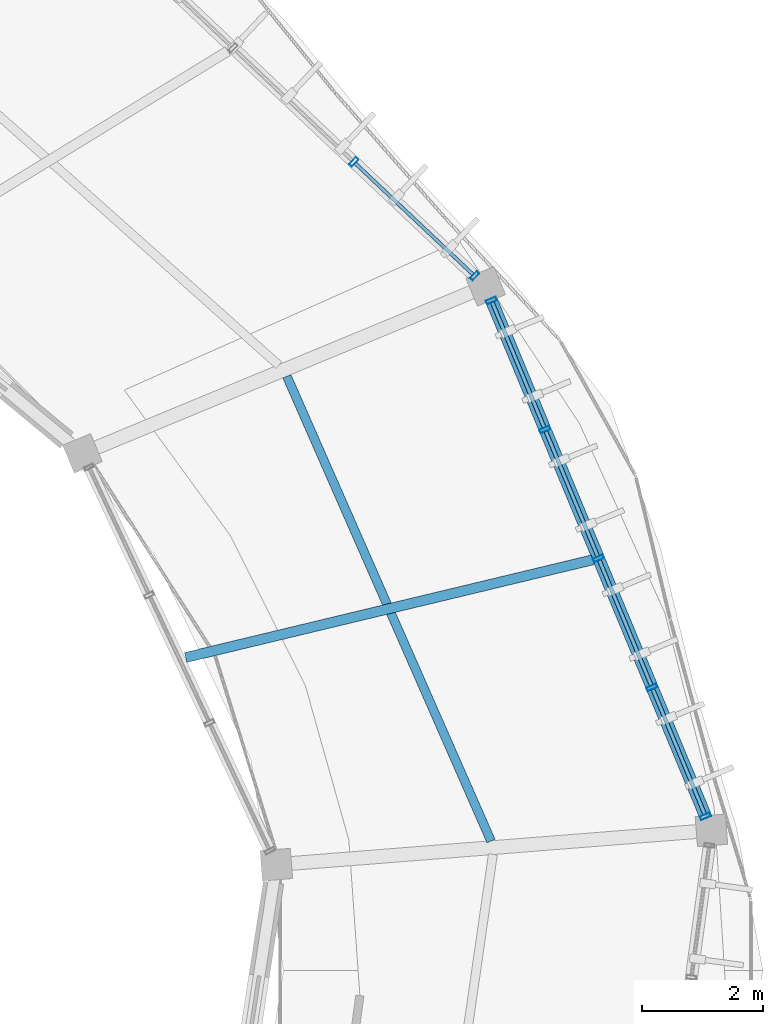
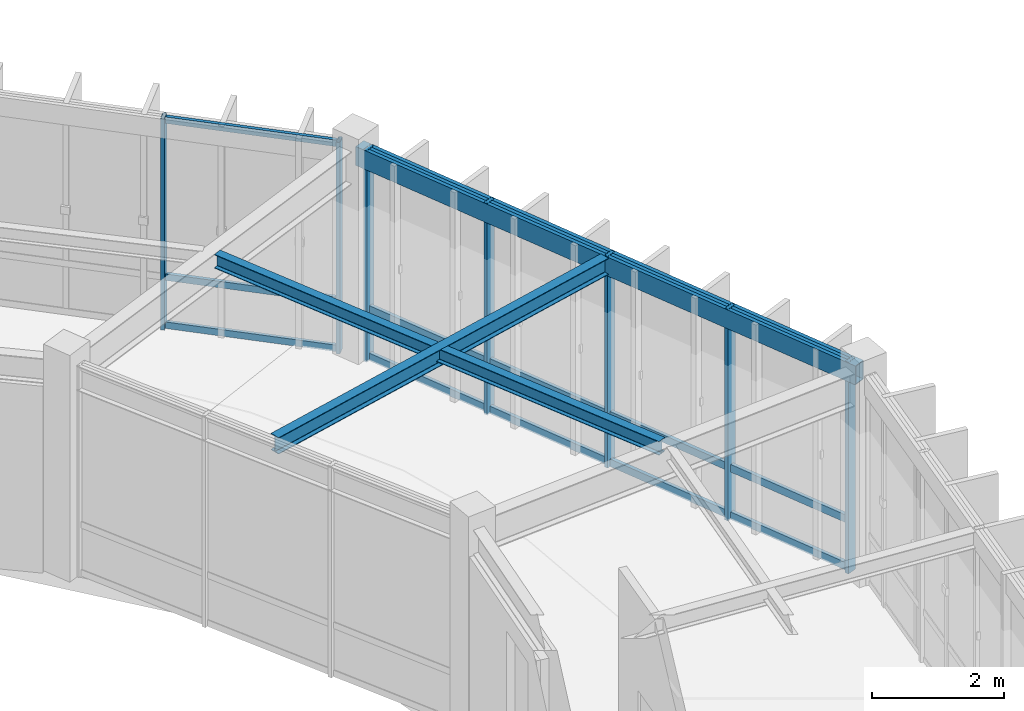
# One storey, part 63 of 78: 22 members, 3 beams, 2 elements without a shape of their own.
"""IFC4 building model written with IfcOpenShell, lengths in metres."""

from ifc_helpers import new_model, si_unit, direction, frame, origin, origin_2d, place, context, subcontext, project, spatial, hollow_rectangle, i_section, extrude, material, material_profile, profile_set, type_object, element, aggregate, save


model = new_model("IFC4")

# Units and contexts
model_context = context("Model", 3, precision=1e-05, world=origin(), true_north=direction((0.0, 1.0)))
body_context = subcontext(model_context, "Body", "Model", "MODEL_VIEW")
ifc_project = project(units=[si_unit("LENGTHUNIT", "METRE"), si_unit("AREAUNIT", "SQUARE_METRE"), si_unit("VOLUMEUNIT", "CUBIC_METRE"), si_unit("PLANEANGLEUNIT", "RADIAN"), si_unit("MASSUNIT", "GRAM", prefix="KILO"), si_unit("THERMODYNAMICTEMPERATUREUNIT", "KELVIN"), si_unit("POWERUNIT", "WATT")], contexts=[model_context])

# Site, building, storey
site_placement = place(None, origin())
site = spatial("IfcSite", under=ifc_project, at=site_placement, CompositionType="ELEMENT")
building_placement = place(site_placement, origin())
building = spatial("IfcBuilding", under=site, at=building_placement, Name="Darbajah Civic Hall", CompositionType="ELEMENT")
storey_placement = place(building_placement, frame((0.0, 0.0, 26.39990234375)))
storey = spatial("IfcBuildingStorey", under=building, at=storey_placement, Name="L06", CompositionType="ELEMENT", Elevation=26.39990234375)

# Curtain wall, members
ifc_material_1 = material(Name="Anodised Bronze Aluminium and Low-E Glazing", Category="aluminium")
curtain_wall_type_1 = type_object("IfcCurtainWallType", Name="Unitised Curtain Wall CW-86 11000x3900", PredefinedType="USERDEFINED", material=ifc_material_1)
curtain_wall_1_placement = place(storey_placement, origin())
curtain_wall_1 = element("IfcCurtainWall", 1, at=curtain_wall_1_placement, inside=storey, type_object=curtain_wall_type_1, Name="L06 unitised curtain wall CW-V1O-L06-01", ObjectType="UNITISED CURTAIN WALL", PredefinedType="USERDEFINED")
ifc_material_2 = material(Name="Anodised Bronze Aluminium", Category="aluminium")
ifc_material_profile_1 = material_profile(ifc_material_2, hollow_rectangle(XDim=0.06005859375, YDim=0.159912109375, WallThickness=0.00341796875, at=origin_2d()), Name="ALU MULLION 60x160")
ifc_profile_set_1 = profile_set([ifc_material_profile_1], Name="Anodised Bronze Aluminium")
member_type_1 = type_object("IfcMemberType", Name="ALU MULLION 60x160", PredefinedType="MULLION", material=ifc_profile_set_1)
member_1_placement = place(storey_placement, frame((136.03466796875, 101.26220703125, 0.0), z_axis=(0.0, 0.0, 1.0), x_axis=(-0.727173991201, 0.686453193248, 0.0)))
member_1 = element("IfcMember", 2, at=member_1_placement, type_object=member_type_1, Name="CW-V1O-L06-01 mullion 1", PredefinedType="MULLION", context=body_context, shape_type="SweptSolid", body=[
    extrude(hollow_rectangle(XDim=0.06005859375, YDim=0.159912109375, WallThickness=0.00341796875, at=origin_2d()), origin(), (0.0, 0.0, 1.0), 3.920166015625),
])
member_2_placement = place(storey_placement, frame((134.0419921875, 103.14306640625, 0.0), z_axis=(0.0, 0.0, 1.0), x_axis=(-0.727173991201, 0.686453193248, 0.0)))
member_2 = element("IfcMember", 3, at=member_2_placement, type_object=member_type_1, Name="CW-V1O-L06-01 mullion 2", PredefinedType="MULLION", context=body_context, shape_type="SweptSolid", body=[
    extrude(hollow_rectangle(XDim=0.06005859375, YDim=0.159912109375, WallThickness=0.00341796875, at=origin_2d()), origin(), (0.0, 0.0, 1.0), 3.920166015625),
])

curtain_wall_type_2 = type_object("IfcCurtainWallType", Name="Unitised Curtain Wall CW-77 9200x3900", PredefinedType="USERDEFINED", material=ifc_material_1)
curtain_wall_2_placement = place(storey_placement, origin())
curtain_wall_2 = element("IfcCurtainWall", 4, at=curtain_wall_2_placement, inside=storey, type_object=curtain_wall_type_2, Name="L06 unitised curtain wall CW-V1O-L06-00", ObjectType="UNITISED CURTAIN WALL", PredefinedType="USERDEFINED")
ifc_material_profile_2 = material_profile(ifc_material_2, hollow_rectangle(XDim=0.06494140625, YDim=0.179931640625, WallThickness=0.00390625, at=origin_2d()), Name="ALU MULLION 65x180")
ifc_profile_set_2 = profile_set([ifc_material_profile_2], Name="Anodised Bronze Aluminium")
member_type_2 = type_object("IfcMemberType", Name="ALU MULLION 65x180", PredefinedType="MULLION", material=ifc_profile_set_2)
member_3_placement = place(storey_placement, frame((139.84619140625, 92.34716796875, 0.0), z_axis=(0.0, 0.0, 1.0), x_axis=(-0.383328328644, 0.923612143954, 0.0)))
member_3 = element("IfcMember", 5, at=member_3_placement, type_object=member_type_2, Name="CW-V1O-L06-00 mullion 1", PredefinedType="MULLION", context=body_context, shape_type="SweptSolid", body=[
    extrude(hollow_rectangle(XDim=0.06494140625, YDim=0.179931640625, WallThickness=0.00390625, at=origin_2d()), origin(), (0.0, 0.0, 1.0), 3.920166015625),
])
member_4_placement = place(storey_placement, frame((138.96337890625, 94.474609375, 0.0), z_axis=(0.0, 0.0, 1.0), x_axis=(-0.383328328644, 0.923612143954, 0.0)))
member_4 = element("IfcMember", 6, at=member_4_placement, type_object=member_type_2, Name="CW-V1O-L06-00 mullion 2", PredefinedType="MULLION", context=body_context, shape_type="SweptSolid", body=[
    extrude(hollow_rectangle(XDim=0.06494140625, YDim=0.179931640625, WallThickness=0.00390625, at=origin_2d()), origin(), (0.0, 0.0, 1.0), 3.920166015625),
])
member_5_placement = place(storey_placement, frame((138.080322265625, 96.601806640625, 0.0), z_axis=(0.0, 0.0, 1.0), x_axis=(-0.383328328644, 0.923612143954, 0.0)))
member_5 = element("IfcMember", 7, at=member_5_placement, type_object=member_type_2, Name="CW-V1O-L06-00 mullion 3", PredefinedType="MULLION", context=body_context, shape_type="SweptSolid", body=[
    extrude(hollow_rectangle(XDim=0.06494140625, YDim=0.179931640625, WallThickness=0.00390625, at=origin_2d()), origin(), (0.0, 0.0, 1.0), 3.920166015625),
])
member_6_placement = place(storey_placement, frame((137.197509765625, 98.729248046875, 0.0), z_axis=(0.0, 0.0, 1.0), x_axis=(-0.383328328644, 0.923612143954, 0.0)))
member_6 = element("IfcMember", 8, at=member_6_placement, type_object=member_type_2, Name="CW-V1O-L06-00 mullion 4", PredefinedType="MULLION", context=body_context, shape_type="SweptSolid", body=[
    extrude(hollow_rectangle(XDim=0.06494140625, YDim=0.179931640625, WallThickness=0.00390625, at=origin_2d()), origin(), (0.0, 0.0, 1.0), 3.920166015625),
])
member_7_placement = place(storey_placement, frame((136.314453125, 100.8564453125, 0.0), z_axis=(0.0, 0.0, 1.0), x_axis=(-0.383328328644, 0.923612143954, 0.0)))
member_7 = element("IfcMember", 9, at=member_7_placement, type_object=member_type_2, Name="CW-V1O-L06-00 mullion 5", PredefinedType="MULLION", context=body_context, shape_type="SweptSolid", body=[
    extrude(hollow_rectangle(XDim=0.06494140625, YDim=0.179931640625, WallThickness=0.00390625, at=origin_2d()), origin(), (0.0, 0.0, 1.0), 3.920166015625),
])

# Member
ifc_material_profile_3 = material_profile(ifc_material_2, hollow_rectangle(XDim=0.06005859375, YDim=0.1201171875, WallThickness=0.003173828125, at=origin_2d()), Name="ALU TRANSOM 60x120")
ifc_profile_set_3 = profile_set([ifc_material_profile_3], Name="Anodised Bronze Aluminium")
member_type_3 = type_object("IfcMemberType", Name="ALU TRANSOM 60x120", PredefinedType="USERDEFINED", material=ifc_profile_set_3)
member_8_placement = place(storey_placement, frame((136.009033203125, 101.2861328125, 0.06005859375), z_axis=(-0.72715766741, 0.686470484964, 0.0), x_axis=(-0.686470484964, -0.72715766741, 0.0)))
member_8 = element("IfcMember", 10, at=member_8_placement, type_object=member_type_3, Name="CW-V1O-L06-01 transom 1.1", ObjectType="TRANSOM", PredefinedType="USERDEFINED", context=body_context, shape_type="SweptSolid", body=[
    extrude(hollow_rectangle(XDim=0.06005859375, YDim=0.1201171875, WallThickness=0.003173828125, at=origin_2d()), origin(), (0.0, 0.0, 1.0), 2.670166015625),
])

member_9_placement = place(storey_placement, frame((136.009033203125, 101.2861328125, 0.9501953125), z_axis=(-0.72715766741, 0.686470484964, 0.0), x_axis=(-0.686470484964, -0.72715766741, 0.0)))
member_9 = element("IfcMember", 11, at=member_9_placement, type_object=member_type_3, Name="CW-V1O-L06-01 transom 1.2", ObjectType="TRANSOM", PredefinedType="USERDEFINED", context=body_context, shape_type="SweptSolid", body=[
    extrude(hollow_rectangle(XDim=0.06005859375, YDim=0.1201171875, WallThickness=0.003173828125, at=origin_2d()), origin(), (0.0, 0.0, 1.0), 2.670166015625),
])

member_10_placement = place(storey_placement, frame((136.009033203125, 101.2861328125, 3.860107421875), z_axis=(-0.72715766741, 0.686470484964, 0.0), x_axis=(-0.686470484964, -0.72715766741, 0.0)))
member_10 = element("IfcMember", 12, at=member_10_placement, type_object=member_type_3, Name="CW-V1O-L06-01 transom 1.3", ObjectType="TRANSOM", PredefinedType="USERDEFINED", context=body_context, shape_type="SweptSolid", body=[
    extrude(hollow_rectangle(XDim=0.06005859375, YDim=0.1201171875, WallThickness=0.003173828125, at=origin_2d()), origin(), (0.0, 0.0, 1.0), 2.670166015625),
])

aggregate(curtain_wall_1, [member_1, member_2, member_8, member_9, member_10])

ifc_material_profile_4 = material_profile(ifc_material_2, hollow_rectangle(XDim=0.06494140625, YDim=0.139892578125, WallThickness=0.00341796875, at=origin_2d()), Name="ALU TRANSOM 65x140")
ifc_profile_set_4 = profile_set([ifc_material_profile_4], Name="Anodised Bronze Aluminium")
member_type_4 = type_object("IfcMemberType", Name="ALU TRANSOM 65x140", PredefinedType="USERDEFINED", material=ifc_profile_set_4)
member_11_placement = place(storey_placement, frame((139.831787109375, 92.3818359375, 0.070068359375), z_axis=(-0.383261281934, 0.923639967612, 0.0), x_axis=(-0.923639967612, -0.383261281934, 0.0)))
member_11 = element("IfcMember", 13, at=member_11_placement, type_object=member_type_4, Name="CW-V1O-L06-00 transom 1.1", ObjectType="TRANSOM", PredefinedType="USERDEFINED", context=body_context, shape_type="SweptSolid", body=[
    extrude(hollow_rectangle(XDim=0.06494140625, YDim=0.139892578125, WallThickness=0.00341796875, at=origin_2d()), origin(), (0.0, 0.0, 1.0), 2.228271484375),
])

member_12_placement = place(storey_placement, frame((139.831787109375, 92.3818359375, 0.9501953125), z_axis=(-0.383261281934, 0.923639967612, 0.0), x_axis=(-0.923639967612, -0.383261281934, 0.0)))
member_12 = element("IfcMember", 14, at=member_12_placement, type_object=member_type_4, Name="CW-V1O-L06-00 transom 1.2", ObjectType="TRANSOM", PredefinedType="USERDEFINED", context=body_context, shape_type="SweptSolid", body=[
    extrude(hollow_rectangle(XDim=0.06494140625, YDim=0.139892578125, WallThickness=0.00341796875, at=origin_2d()), origin(), (0.0, 0.0, 1.0), 2.228271484375),
])

member_13_placement = place(storey_placement, frame((139.831787109375, 92.3818359375, 3.85009765625), z_axis=(-0.383261281934, 0.923639967612, 0.0), x_axis=(-0.923639967612, -0.383261281934, 0.0)))
member_13 = element("IfcMember", 15, at=member_13_placement, type_object=member_type_4, Name="CW-V1O-L06-00 transom 1.3", ObjectType="TRANSOM", PredefinedType="USERDEFINED", context=body_context, shape_type="SweptSolid", body=[
    extrude(hollow_rectangle(XDim=0.06494140625, YDim=0.139892578125, WallThickness=0.00341796875, at=origin_2d()), origin(), (0.0, 0.0, 1.0), 2.228271484375),
])

member_14_placement = place(storey_placement, frame((138.948974609375, 94.50927734375, 0.070068359375), z_axis=(-0.383393543433, 0.923585075049, 0.0), x_axis=(-0.923585075049, -0.383393543433, 0.0)))
member_14 = element("IfcMember", 16, at=member_14_placement, type_object=member_type_4, Name="CW-V1O-L06-00 transom 2.1", ObjectType="TRANSOM", PredefinedType="USERDEFINED", context=body_context, shape_type="SweptSolid", body=[
    extrude(hollow_rectangle(XDim=0.06494140625, YDim=0.139892578125, WallThickness=0.00341796875, at=origin_2d()), origin(), (0.0, 0.0, 1.0), 2.22802734375),
])

member_15_placement = place(storey_placement, frame((138.948974609375, 94.50927734375, 0.9501953125), z_axis=(-0.383393543433, 0.923585075049, 0.0), x_axis=(-0.923585075049, -0.383393543433, 0.0)))
member_15 = element("IfcMember", 17, at=member_15_placement, type_object=member_type_4, Name="CW-V1O-L06-00 transom 2.2", ObjectType="TRANSOM", PredefinedType="USERDEFINED", context=body_context, shape_type="SweptSolid", body=[
    extrude(hollow_rectangle(XDim=0.06494140625, YDim=0.139892578125, WallThickness=0.00341796875, at=origin_2d()), origin(), (0.0, 0.0, 1.0), 2.22802734375),
])

member_16_placement = place(storey_placement, frame((138.948974609375, 94.50927734375, 3.85009765625), z_axis=(-0.383393543433, 0.923585075049, 0.0), x_axis=(-0.923585075049, -0.383393543433, 0.0)))
member_16 = element("IfcMember", 18, at=member_16_placement, type_object=member_type_4, Name="CW-V1O-L06-00 transom 2.3", ObjectType="TRANSOM", PredefinedType="USERDEFINED", context=body_context, shape_type="SweptSolid", body=[
    extrude(hollow_rectangle(XDim=0.06494140625, YDim=0.139892578125, WallThickness=0.00341796875, at=origin_2d()), origin(), (0.0, 0.0, 1.0), 2.22802734375),
])

member_17_placement = place(storey_placement, frame((138.06591796875, 96.636474609375, 0.070068359375), z_axis=(-0.383261281934, 0.923639967612, 0.0), x_axis=(-0.923639967612, -0.383261281934, 0.0)))
member_17 = element("IfcMember", 19, at=member_17_placement, type_object=member_type_4, Name="CW-V1O-L06-00 transom 3.1", ObjectType="TRANSOM", PredefinedType="USERDEFINED", context=body_context, shape_type="SweptSolid", body=[
    extrude(hollow_rectangle(XDim=0.06494140625, YDim=0.139892578125, WallThickness=0.00341796875, at=origin_2d()), origin(), (0.0, 0.0, 1.0), 2.228271484375),
])

member_18_placement = place(storey_placement, frame((138.06591796875, 96.636474609375, 0.9501953125), z_axis=(-0.383261281934, 0.923639967612, 0.0), x_axis=(-0.923639967612, -0.383261281934, 0.0)))
member_18 = element("IfcMember", 20, at=member_18_placement, type_object=member_type_4, Name="CW-V1O-L06-00 transom 3.2", ObjectType="TRANSOM", PredefinedType="USERDEFINED", context=body_context, shape_type="SweptSolid", body=[
    extrude(hollow_rectangle(XDim=0.06494140625, YDim=0.139892578125, WallThickness=0.00341796875, at=origin_2d()), origin(), (0.0, 0.0, 1.0), 2.228271484375),
])

member_19_placement = place(storey_placement, frame((138.06591796875, 96.636474609375, 3.85009765625), z_axis=(-0.383261281934, 0.923639967612, 0.0), x_axis=(-0.923639967612, -0.383261281934, 0.0)))
member_19 = element("IfcMember", 21, at=member_19_placement, type_object=member_type_4, Name="CW-V1O-L06-00 transom 3.3", ObjectType="TRANSOM", PredefinedType="USERDEFINED", context=body_context, shape_type="SweptSolid", body=[
    extrude(hollow_rectangle(XDim=0.06494140625, YDim=0.139892578125, WallThickness=0.00341796875, at=origin_2d()), origin(), (0.0, 0.0, 1.0), 2.228271484375),
])

member_20_placement = place(storey_placement, frame((137.18310546875, 98.763916015625, 0.070068359375), z_axis=(-0.38335474784, 0.923601178707, 0.0), x_axis=(-0.923601178707, -0.38335474784, 0.0)))
member_20 = element("IfcMember", 22, at=member_20_placement, type_object=member_type_4, Name="CW-V1O-L06-00 transom 4.1", ObjectType="TRANSOM", PredefinedType="USERDEFINED", context=body_context, shape_type="SweptSolid", body=[
    extrude(hollow_rectangle(XDim=0.06494140625, YDim=0.139892578125, WallThickness=0.00341796875, at=origin_2d()), origin(), (0.0, 0.0, 1.0), 2.228271484375),
])

member_21_placement = place(storey_placement, frame((137.18310546875, 98.763916015625, 0.9501953125), z_axis=(-0.38335474784, 0.923601178707, 0.0), x_axis=(-0.923601178707, -0.38335474784, 0.0)))
member_21 = element("IfcMember", 23, at=member_21_placement, type_object=member_type_4, Name="CW-V1O-L06-00 transom 4.2", ObjectType="TRANSOM", PredefinedType="USERDEFINED", context=body_context, shape_type="SweptSolid", body=[
    extrude(hollow_rectangle(XDim=0.06494140625, YDim=0.139892578125, WallThickness=0.00341796875, at=origin_2d()), origin(), (0.0, 0.0, 1.0), 2.228271484375),
])

member_22_placement = place(storey_placement, frame((137.18310546875, 98.763916015625, 3.85009765625), z_axis=(-0.38335474784, 0.923601178707, 0.0), x_axis=(-0.923601178707, -0.38335474784, 0.0)))
member_22 = element("IfcMember", 24, at=member_22_placement, type_object=member_type_4, Name="CW-V1O-L06-00 transom 4.3", ObjectType="TRANSOM", PredefinedType="USERDEFINED", context=body_context, shape_type="SweptSolid", body=[
    extrude(hollow_rectangle(XDim=0.06494140625, YDim=0.139892578125, WallThickness=0.00341796875, at=origin_2d()), origin(), (0.0, 0.0, 1.0), 2.228271484375),
])

aggregate(curtain_wall_2, [member_3, member_4, member_5, member_6, member_7, member_11, member_12, member_13, member_14, member_15, member_16, member_17, member_18, member_19, member_20, member_21, member_22])

# Beams
ifc_material_3 = material(Name="Steel S355JR", Category="steel")
ifc_material_profile_5 = material_profile(ifc_material_3, hollow_rectangle(XDim=0.199951171875, YDim=0.35009765625, WallThickness=0.012451171875, at=origin_2d()), Name="RHS 350x200x12.5")
ifc_profile_set_5 = profile_set([ifc_material_profile_5], Name="Steel S355JR")
beam_type_1 = type_object("IfcBeamType", Name="RHS 350x200x12.5", PredefinedType="SPANDREL", material=ifc_profile_set_5)
beam_1_placement = place(storey_placement, frame((139.912109375, 92.1884765625, 3.7451171875), z_axis=(-0.38333984527, 0.923607364104, 0.0), x_axis=(-0.923607364104, -0.38333984527, 0.0)))
element("IfcBeam", 25, at=beam_1_placement, inside=storey, type_object=beam_type_1, Name="L06 beam SP-RHS350", PredefinedType="SPANDREL", context=body_context, shape_type="SweptSolid", body=[
    extrude(hollow_rectangle(XDim=0.199951171875, YDim=0.35009765625, WallThickness=0.012451171875, at=origin_2d()), origin(), (0.0, 0.0, 1.0), 9.556884765625),
])
ifc_material_profile_6 = material_profile(ifc_material_3, i_section(OverallWidth=0.146484375, OverallDepth=0.256103515625, WebThickness=0.00634765625, FlangeThickness=0.010986328125, FilletRadius=0.007568359375, at=origin_2d()), Name="UB 254x146x37")
ifc_profile_set_6 = profile_set([ifc_material_profile_6], Name="Steel S355JR")
beam_type_2 = type_object("IfcBeamType", Name="UB 254x146x37", PredefinedType="JOIST", material=ifc_profile_set_6)
beam_2_placement = place(storey_placement, frame((136.30712890625, 91.938232421875, 3.7919921875), z_axis=(-0.402231491777, 0.915537998678, 0.0), x_axis=(-0.915537998678, -0.402231491777, 0.0)))
element("IfcBeam", 26, at=beam_2_placement, inside=storey, type_object=beam_type_2, Name="L06 beam SJ-254", PredefinedType="JOIST", context=body_context, shape_type="SweptSolid", body=[
    extrude(i_section(OverallWidth=0.146484375, OverallDepth=0.256103515625, WebThickness=0.00634765625, FlangeThickness=0.010986328125, FilletRadius=0.007568359375, at=origin_2d()), origin(), (0.0, 0.0, 1.0), 8.374267578125),
])
ifc_material_profile_7 = material_profile(ifc_material_3, i_section(OverallWidth=0.165771484375, OverallDepth=0.306640625, WebThickness=0.006591796875, FlangeThickness=0.01171875, FilletRadius=0.0087890625, at=origin_2d()), Name="UB 305x165x46")
ifc_profile_set_7 = profile_set([ifc_material_profile_7], Name="Steel S355JR")
beam_type_3 = type_object("IfcBeamType", Name="UB 305x165x46", PredefinedType="JOIST", material=ifc_profile_set_7)
beam_3_placement = place(storey_placement, frame((131.2685546875, 94.96630859375, 3.766845703125), z_axis=(0.972369643286, 0.233446518106, 0.0), x_axis=(-0.233446518106, 0.972369643286, 0.0)))
element("IfcBeam", 27, at=beam_3_placement, inside=storey, type_object=beam_type_3, Name="L06 beam SJ-305", PredefinedType="JOIST", context=body_context, shape_type="SweptSolid", body=[
    extrude(i_section(OverallWidth=0.165771484375, OverallDepth=0.306640625, WebThickness=0.006591796875, FlangeThickness=0.01171875, FilletRadius=0.0087890625, at=origin_2d()), origin(), (0.0, 0.0, 1.0), 6.9033203125),
])

save(model, "model.ifc")
